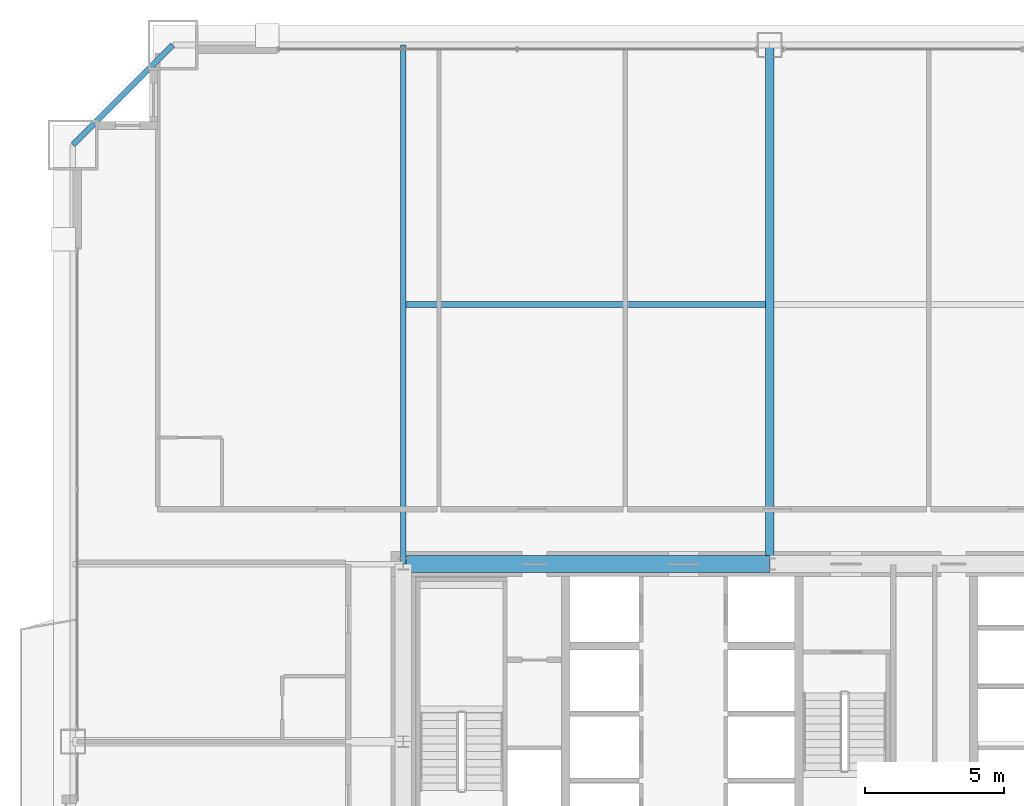
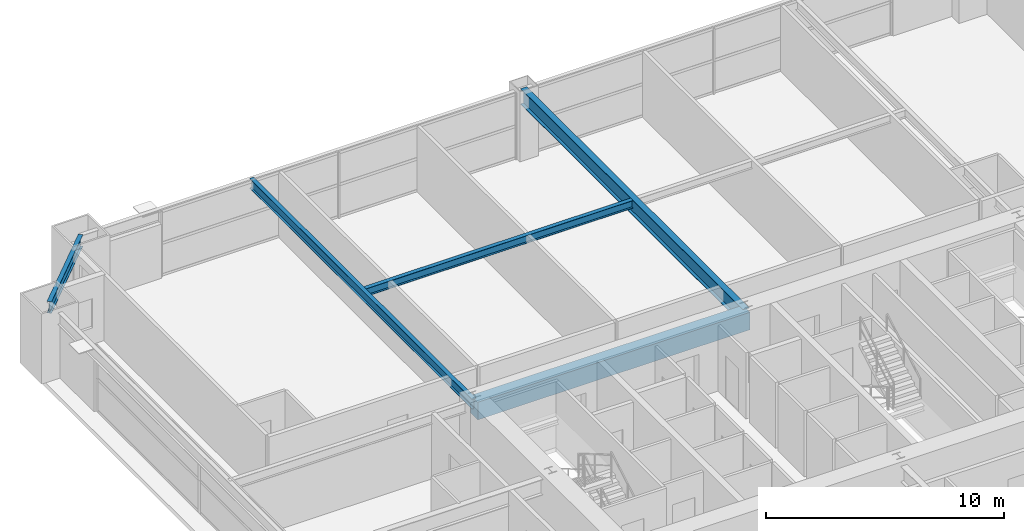
# One storey, part 27 of 46: 5 beams.
"""IFC4 building model written with IfcOpenShell, lengths in metres."""

from ifc_helpers import new_model, si_unit, direction, frame, origin, origin_2d, place, context, subcontext, project, spatial, rectangle, i_section, extrude, source, transform, mapped, material, material_profile, profile_set, type_object, element, save


model = new_model("IFC4")

# Units and contexts
model_context = context("Model", 3, precision=1e-05, world=origin(), true_north=direction((0.0, 1.0)))
body_context = subcontext(model_context, "Body", "Model", "MODEL_VIEW")
ifc_project = project(units=[si_unit("LENGTHUNIT", "METRE"), si_unit("AREAUNIT", "SQUARE_METRE"), si_unit("VOLUMEUNIT", "CUBIC_METRE"), si_unit("PLANEANGLEUNIT", "RADIAN"), si_unit("MASSUNIT", "GRAM", prefix="KILO"), si_unit("THERMODYNAMICTEMPERATUREUNIT", "KELVIN"), si_unit("POWERUNIT", "WATT")], contexts=[model_context])

# Site, building, storey
site_placement = place(None, origin())
site = spatial("IfcSite", under=ifc_project, at=site_placement, CompositionType="ELEMENT")
building_placement = place(site_placement, origin())
building = spatial("IfcBuilding", under=site, at=building_placement, Name="Yuzanri Waterfront Tower", CompositionType="ELEMENT")
storey_placement = place(building_placement, frame((0.0, 0.0, 56.800048828125)))
storey = spatial("IfcBuildingStorey", under=building, at=storey_placement, Name="L14", CompositionType="ELEMENT", Elevation=56.800048828125)

# Beams
ifc_material_1 = material(Name="Concrete C60", Category="concrete")
ifc_material_profile_1 = material_profile(ifc_material_1, rectangle(XDim=0.60009765625, YDim=0.89990234375, at=origin_2d()), Name="RC 600x900")
ifc_profile_set_1 = profile_set([ifc_material_profile_1], Name="Concrete C60")
beam_type_1 = type_object("IfcBeamType", Name="Core Coupling Lintel Concrete C60 600x900", PredefinedType="LINTEL", material=ifc_profile_set_1)
shared_shape_1 = source(origin(), body_context, "Body", "SweptSolid", [
    extrude(rectangle(XDim=0.60009765625, YDim=0.89990234375, at=origin_2d()), origin(), (0.0, 0.0, 1.0), 13.199951171875),
])
beam_1_placement = place(storey_placement, frame((23.800048828125, 32.199951171875, 2.929931640625), z_axis=(1.0, 0.0, 0.0), x_axis=(0.0, 1.0, 0.0)))
element("IfcBeam", 1, at=beam_1_placement, inside=storey, type_object=beam_type_1, Name="L14 Core Tie Beam CN1", PredefinedType="LINTEL", context=body_context, shape_type="MappedRepresentation", body=[
    mapped(shared_shape_1, transform((0.0, 0.0, 0.0), scale=1.0)),
])
ifc_material_2 = material(Name="Steel Q355B", Category="steel")
ifc_material_profile_2 = material_profile(ifc_material_2, i_section(OverallWidth=0.199951171875, OverallDepth=0.60009765625, WebThickness=0.010986328125, FlangeThickness=0.01708984375, at=origin_2d()), Name="HN 600x200x11x17")
ifc_profile_set_2 = profile_set([ifc_material_profile_2], Name="Steel Q355B")
beam_type_2 = type_object("IfcBeamType", Name="Perimeter Spandrel Q355B HN 600x200", PredefinedType="SPANDREL", material=ifc_profile_set_2)
shared_shape_2 = source(origin(), body_context, "Body", "SweptSolid", [
    extrude(i_section(OverallWidth=0.199951171875, OverallDepth=0.60009765625, WebThickness=0.010986328125, FlangeThickness=0.01708984375, at=origin_2d()), origin(), (0.0, 0.0, 1.0), 5.091064453125),
])
beam_2_placement = place(storey_placement, frame((15.5, 50.89990234375, 3.079833984375), z_axis=(-0.707130757816, -0.707082803744, 0.0), x_axis=(0.707082803744, -0.707130757816, 0.0)))
element("IfcBeam", 2, at=beam_2_placement, inside=storey, type_object=beam_type_2, Name="L14 Perimeter Spandrel N1-W3", PredefinedType="SPANDREL", context=body_context, shape_type="MappedRepresentation", body=[
    mapped(shared_shape_2, transform((0.0, 0.0, 0.0), scale=1.0)),
])
ifc_material_3 = material(Name="Steel Q355B", Category="steel")
ifc_material_profile_3 = material_profile(ifc_material_3, i_section(OverallWidth=0.300048828125, OverallDepth=0.800048828125, WebThickness=0.013916015625, FlangeThickness=0.02587890625, at=origin_2d()), Name="HN 800x300x14x26")
ifc_profile_set_3 = profile_set([ifc_material_profile_3], Name="Steel Q355B")
beam_type_3 = type_object("IfcBeamType", Name="Primary Floor Girder Q355B HN 800x300", PredefinedType="BEAM", material=ifc_profile_set_3)
shared_shape_3 = source(origin(), body_context, "Body", "SweptSolid", [
    extrude(i_section(OverallWidth=0.300048828125, OverallDepth=0.800048828125, WebThickness=0.013916015625, FlangeThickness=0.02587890625, at=origin_2d()), origin(), (0.0, 0.0, 1.0), 18.699951171875),
])
beam_3_placement = place(storey_placement, frame((37.0, 32.199951171875, 2.97998046875), z_axis=(0.0, 1.0, 0.0), x_axis=(-1.0, 0.0, 0.0)))
element("IfcBeam", 3, at=beam_3_placement, inside=storey, type_object=beam_type_3, Name="L14 North Grid Girder", PredefinedType="BEAM", context=body_context, shape_type="MappedRepresentation", body=[
    mapped(shared_shape_3, transform((0.0, 0.0, 0.0), scale=1.0)),
])
ifc_material_4 = material(Name="Steel Q355B", Category="steel")
ifc_material_profile_4 = material_profile(ifc_material_4, i_section(OverallWidth=0.199951171875, OverallDepth=0.5, WebThickness=0.010009765625, FlangeThickness=0.01611328125, at=origin_2d()), Name="HN 500x200x10x16")
ifc_profile_set_4 = profile_set([ifc_material_profile_4], Name="Steel Q355B")
beam_type_4 = type_object("IfcBeamType", Name="Secondary Floor Beam Q355B HN 500x200", PredefinedType="BEAM", material=ifc_profile_set_4)
shared_shape_4 = source(origin(), body_context, "Body", "SweptSolid", [
    extrude(i_section(OverallWidth=0.199951171875, OverallDepth=0.5, WebThickness=0.010009765625, FlangeThickness=0.01611328125, at=origin_2d()), origin(), (0.0, 0.0, 1.0), 18.699951171875),
])
beam_4_placement = place(storey_placement, frame((23.800048828125, 32.199951171875, 3.1298828125), z_axis=(0.0, 1.0, 0.0), x_axis=(-1.0, 0.0, 0.0)))
element("IfcBeam", 4, at=beam_4_placement, inside=storey, type_object=beam_type_4, Name="L14 North-West Core Line Beam", PredefinedType="BEAM", context=body_context, shape_type="MappedRepresentation", body=[
    mapped(shared_shape_4, transform((0.0, 0.0, 0.0), scale=1.0)),
])
ifc_material_5 = material(Name="Steel Q355B", Category="steel")
ifc_material_profile_5 = material_profile(ifc_material_5, i_section(OverallWidth=0.199951171875, OverallDepth=0.39990234375, WebThickness=0.008056640625, FlangeThickness=0.012939453125, at=origin_2d()), Name="HN 400x200x8x13")
ifc_profile_set_5 = profile_set([ifc_material_profile_5], Name="Steel Q355B")
beam_type_5 = type_object("IfcBeamType", Name="Floor Joist Q355B HN 400x200", PredefinedType="JOIST", material=ifc_profile_set_5)
shared_shape_5 = source(origin(), body_context, "Body", "SweptSolid", [
    extrude(i_section(OverallWidth=0.199951171875, OverallDepth=0.39990234375, WebThickness=0.008056640625, FlangeThickness=0.012939453125, at=origin_2d()), origin(), (0.0, 0.0, 1.0), 12.9501953125),
])
beam_5_placement = place(storey_placement, frame((23.89990234375, 41.550048828125, 3.179931640625), z_axis=(1.0, 0.0, 0.0), x_axis=(0.0, 1.0, 0.0)))
element("IfcBeam", 5, at=beam_5_placement, inside=storey, type_object=beam_type_5, Name="L14 North Bay Joist W", PredefinedType="JOIST", context=body_context, shape_type="MappedRepresentation", body=[
    mapped(shared_shape_5, transform((0.0, 0.0, 0.0), scale=1.0)),
])

save(model, "model.ifc")
